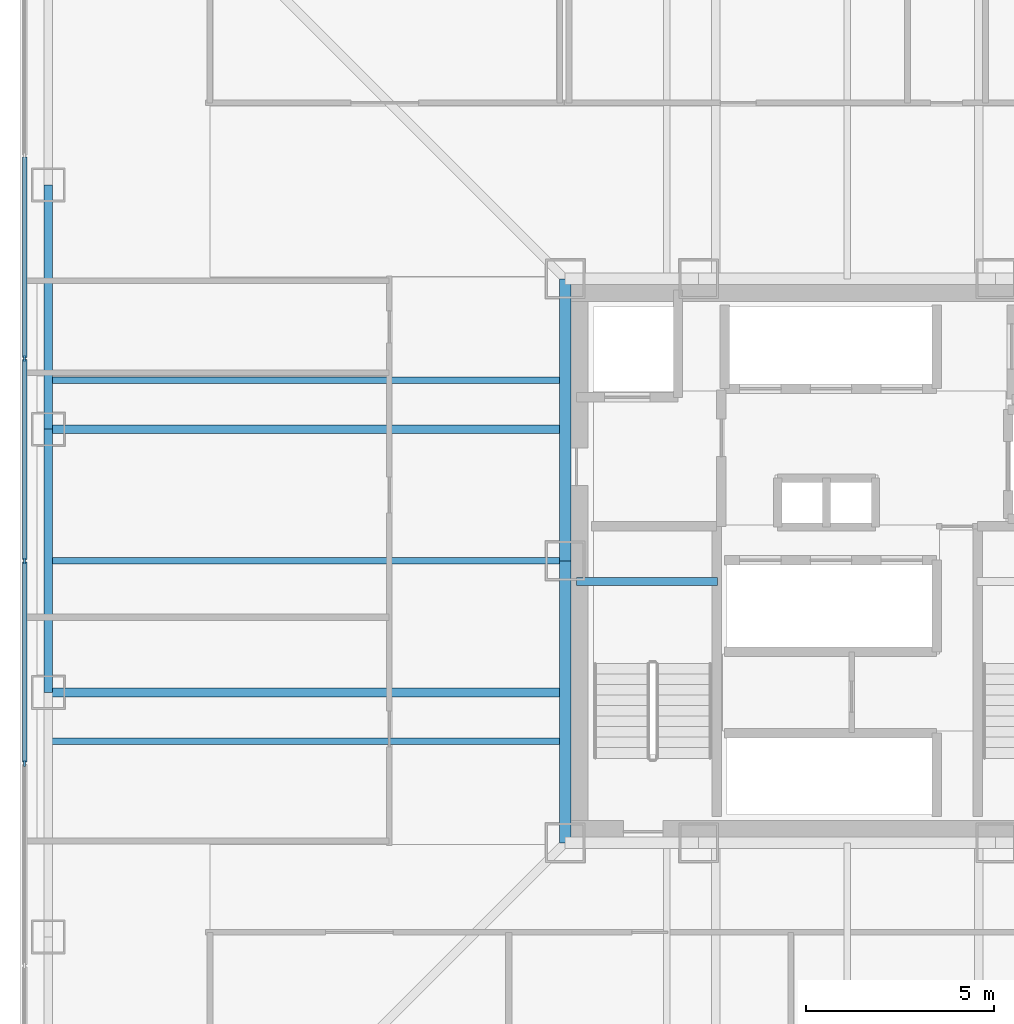
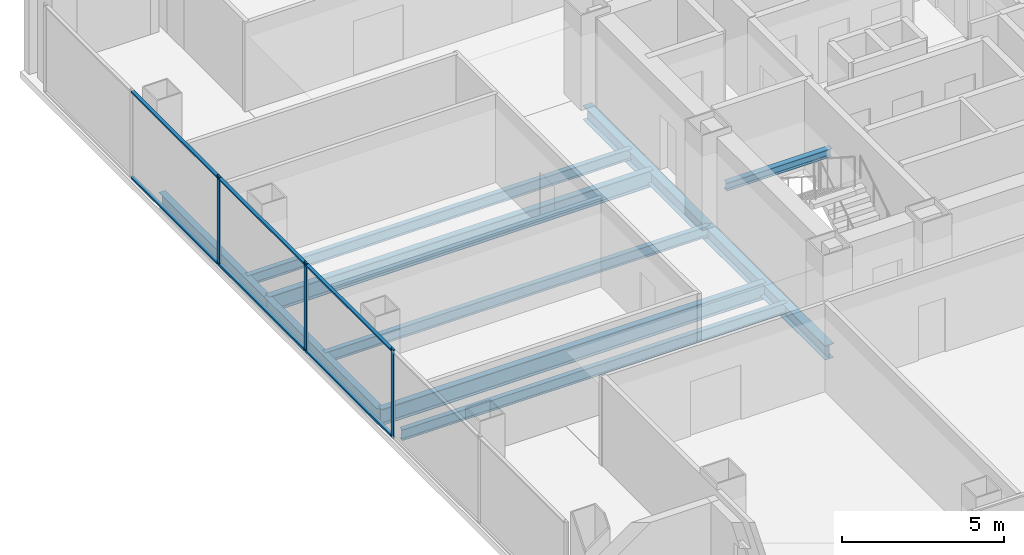
# One storey, part 4 of 14: 10 beams, 9 members, 1 element without a shape of its own.
"""IFC4 building model written with IfcOpenShell, lengths in metres."""

from ifc_helpers import new_model, si_unit, direction, frame, origin, origin_2d, place, context, subcontext, project, spatial, rectangle, i_section, extrude, material, layer, layer_set, material_profile, profile_set, type_object, element, aggregate, save


model = new_model("IFC4")

# Units and contexts
model_context = context("Model", 3, precision=1e-05, world=origin(), true_north=direction((0.0, 1.0)))
body_context = subcontext(model_context, "Body", "Model", "MODEL_VIEW")
ifc_project = project(units=[si_unit("LENGTHUNIT", "METRE"), si_unit("AREAUNIT", "SQUARE_METRE"), si_unit("VOLUMEUNIT", "CUBIC_METRE"), si_unit("PLANEANGLEUNIT", "RADIAN"), si_unit("MASSUNIT", "GRAM", prefix="KILO")], contexts=[model_context])

# Site, building, storey
site_placement = place(None, origin())
site = spatial("IfcSite", under=ifc_project, at=site_placement, CompositionType="ELEMENT")
building_placement = place(site_placement, origin())
building = spatial("IfcBuilding", under=site, at=building_placement, Name="Trevonay Congress Spire", CompositionType="ELEMENT")
storey_placement = place(building_placement, frame((0.0, 0.0, 97.60009765625)))
storey = spatial("IfcBuildingStorey", under=building, at=storey_placement, Name="L24", CompositionType="ELEMENT", Elevation=97.60009765625)

# Beams
ifc_material_1 = material(Name="Steel ASTM A572 Grade 50", Category="steel")
ifc_material_profile_1 = material_profile(ifc_material_1, i_section(OverallWidth=0.31201171875, OverallDepth=0.54296875, WebThickness=0.0126953125, FlangeThickness=0.020263671875, FilletRadius=0.014892578125, at=origin_2d()), Name="W530x150")
ifc_profile_set_1 = profile_set([ifc_material_profile_1], Name="Steel ASTM A572 Grade 50")
beam_type_1 = type_object("IfcBeamType", Name="BM-GIRD-W530X150", PredefinedType="BEAM", material=ifc_profile_set_1)
for number, where, z_axis, x_axis, name in (
    (1, (-7.5, -7.5, -0.51171875), (0.0, 1.0, 0.0), (-1.0, 0.0, 0.0), "L24 structural beam BM-L24-CR-W1"),
    (2, (-7.5, 0.0, -0.51171875), (0.0, 1.0, 0.0), (-1.0, 0.0, 0.0), "L24 structural beam BM-L24-CR-W2"),
):
    element("IfcBeam", number, at=place(storey_placement, frame(where, z_axis=z_axis, x_axis=x_axis)), inside=storey, type_object=beam_type_1, Name=name, PredefinedType="BEAM", context=body_context, shape_type="SweptSolid", body=[
        extrude(i_section(OverallWidth=0.31201171875, OverallDepth=0.54296875, WebThickness=0.0126953125, FlangeThickness=0.020263671875, FilletRadius=0.014892578125, at=origin_2d()), origin(), (0.0, 0.0, 1.0), 7.5),
    ])
ifc_material_profile_2 = material_profile(ifc_material_1, i_section(OverallWidth=0.22998046875, OverallDepth=0.616943359375, WebThickness=0.01318359375, FlangeThickness=0.022216796875, FilletRadius=0.01611328125, at=origin_2d()), Name="W610x140")
ifc_profile_set_2 = profile_set([ifc_material_profile_2], Name="Steel ASTM A572 Grade 50")
beam_type_2 = type_object("IfcBeamType", Name="BM-GIRD-W610X140", PredefinedType="BEAM", material=ifc_profile_set_2)
for number, where, z_axis, x_axis, name in (
    (3, (-7.5, -3.5, -0.548583984375), (-1.0, 0.0, 0.0), (0.0, -1.0, 0.0), "L24 structural beam BM-L24-GW-M"),
    (4, (-7.5, 3.5, -0.548583984375), (-1.0, 0.0, 0.0), (0.0, -1.0, 0.0), "L24 structural beam BM-L24-GW-P"),
):
    element("IfcBeam", number, at=place(storey_placement, frame(where, z_axis=z_axis, x_axis=x_axis)), inside=storey, type_object=beam_type_2, Name=name, PredefinedType="BEAM", context=body_context, shape_type="SweptSolid", body=[
        extrude(i_section(OverallWidth=0.22998046875, OverallDepth=0.616943359375, WebThickness=0.01318359375, FlangeThickness=0.022216796875, FilletRadius=0.01611328125, at=origin_2d()), origin(), (0.0, 0.0, 1.0), 13.75),
    ])
ifc_material_profile_3 = material_profile(ifc_material_1, i_section(OverallWidth=0.22802734375, OverallDepth=0.60791015625, WebThickness=0.01123046875, FlangeThickness=0.017333984375, FilletRadius=0.01611328125, at=origin_2d()), Name="W610x113")
ifc_profile_set_3 = profile_set([ifc_material_profile_3], Name="Steel ASTM A572 Grade 50")
beam_type_3 = type_object("IfcBeamType", Name="BM-RING-W610X113", PredefinedType="BEAM", material=ifc_profile_set_3)
beam_1_placement = place(storey_placement, frame((-21.25, -3.5, -0.544189453125), z_axis=(0.0, 1.0, 0.0), x_axis=(-1.0, 0.0, 0.0)))
element("IfcBeam", 5, at=beam_1_placement, inside=storey, type_object=beam_type_3, Name="L24 structural beam BM-L24-PW3", PredefinedType="BEAM", context=body_context, shape_type="SweptSolid", body=[
    extrude(i_section(OverallWidth=0.22802734375, OverallDepth=0.60791015625, WebThickness=0.01123046875, FlangeThickness=0.017333984375, FilletRadius=0.01611328125, at=origin_2d()), origin(), (0.0, 0.0, 1.0), 7.0),
])
beam_2_placement = place(storey_placement, frame((-21.25, 3.5, -0.544189453125), z_axis=(0.0, 1.0, 0.0), x_axis=(-1.0, 0.0, 0.0)))
element("IfcBeam", 6, at=beam_2_placement, inside=storey, type_object=beam_type_3, Name="L24 structural beam BM-L24-PW4", PredefinedType="BEAM", context=body_context, shape_type="SweptSolid", body=[
    extrude(i_section(OverallWidth=0.22802734375, OverallDepth=0.60791015625, WebThickness=0.01123046875, FlangeThickness=0.017333984375, FilletRadius=0.01611328125, at=origin_2d()), origin(), (0.0, 0.0, 1.0), 6.5),
])

# Curtain wall, members
ifc_material_2 = material(Name="Pale Anodised Aluminium EN AW-6063-T6", Category="aluminium")
ifc_layer = layer(ifc_material_2, 0.175048828125, Name="Pale Anodised Aluminium EN AW-6063-T6")
ifc_layer_set = layer_set([ifc_layer], Name="Pale Anodised Aluminium EN AW-6063-T6")
curtain_wall_type = type_object("IfcCurtainWallType", Name="CW-SYS03-CONGRESS-PALE-METAL", PredefinedType="NOTDEFINED", material=ifc_layer_set)
curtain_wall_placement = place(storey_placement, origin())
curtain_wall = element("IfcCurtainWall", 7, at=curtain_wall_placement, inside=storey, type_object=curtain_wall_type, Name="L24 W unitised curtain wall", PredefinedType="NOTDEFINED")
ifc_material_profile_4 = material_profile(ifc_material_2, rectangle(XDim=0.06005859375, YDim=0.159912109375, at=origin_2d()), Name="CW-MULLION-160-ALUMINIUM")
ifc_profile_set_4 = profile_set([ifc_material_profile_4], Name="Pale Anodised Aluminium EN AW-6063-T6")
member_type_1 = type_object("IfcMemberType", Name="CW-MULLION-160-ALUMINIUM", PredefinedType="MULLION", material=ifc_profile_set_4)
member_1_placement = place(storey_placement, frame((-21.8798828125, -5.38330078125, 0.0), z_axis=(0.0, 0.0, 1.0), x_axis=(-1.0, 0.0, 0.0)))
member_1 = element("IfcMember", 8, at=member_1_placement, type_object=member_type_1, Name="CW03 mullion 3", PredefinedType="MULLION", context=body_context, shape_type="SweptSolid", body=[
    extrude(rectangle(XDim=0.06005859375, YDim=0.159912109375, at=origin_2d()), origin(), (0.0, 0.0, 1.0), 3.35986328125),
])
member_2_placement = place(storey_placement, frame((-21.8798828125, 0.0, 0.0), z_axis=(0.0, 0.0, 1.0), x_axis=(-1.0, 0.0, 0.0)))
member_2 = element("IfcMember", 9, at=member_2_placement, type_object=member_type_1, Name="CW03 mullion 4", PredefinedType="MULLION", context=body_context, shape_type="SweptSolid", body=[
    extrude(rectangle(XDim=0.06005859375, YDim=0.159912109375, at=origin_2d()), origin(), (0.0, 0.0, 1.0), 3.35986328125),
])
member_3_placement = place(storey_placement, frame((-21.8798828125, 5.38330078125, 0.0), z_axis=(0.0, 0.0, 1.0), x_axis=(-1.0, 0.0, 0.0)))
member_3 = element("IfcMember", 10, at=member_3_placement, type_object=member_type_1, Name="CW03 mullion 5", PredefinedType="MULLION", context=body_context, shape_type="SweptSolid", body=[
    extrude(rectangle(XDim=0.06005859375, YDim=0.159912109375, at=origin_2d()), origin(), (0.0, 0.0, 1.0), 3.35986328125),
])
ifc_material_profile_5 = material_profile(ifc_material_2, rectangle(XDim=0.1201171875, YDim=0.06005859375, at=origin_2d()), Name="CW-TRANSOM-120-ALUMINIUM")
ifc_profile_set_5 = profile_set([ifc_material_profile_5], Name="Pale Anodised Aluminium EN AW-6063-T6")
member_type_2 = type_object("IfcMemberType", Name="CW-TRANSOM-120-ALUMINIUM", PredefinedType="USERDEFINED", material=ifc_profile_set_5)
member_4_placement = place(storey_placement, frame((-21.8798828125, -5.353271484375, 0.059814453125), z_axis=(0.0, 1.0, 0.0), x_axis=(-1.0, 0.0, 0.0)))
member_4 = element("IfcMember", 11, at=member_4_placement, type_object=member_type_2, Name="CW03 transom 3.1", ObjectType="TRANSOM", PredefinedType="USERDEFINED", context=body_context, shape_type="SweptSolid", body=[
    extrude(rectangle(XDim=0.1201171875, YDim=0.06005859375, at=origin_2d()), origin(), (0.0, 0.0, 1.0), 5.3232421875),
])
member_5_placement = place(storey_placement, frame((-21.8798828125, -5.353271484375, 3.2998046875), z_axis=(0.0, 1.0, 0.0), x_axis=(-1.0, 0.0, 0.0)))
member_5 = element("IfcMember", 12, at=member_5_placement, type_object=member_type_2, Name="CW03 transom 3.2", ObjectType="TRANSOM", PredefinedType="USERDEFINED", context=body_context, shape_type="SweptSolid", body=[
    extrude(rectangle(XDim=0.1201171875, YDim=0.06005859375, at=origin_2d()), origin(), (0.0, 0.0, 1.0), 5.3232421875),
])
member_6_placement = place(storey_placement, frame((-21.8798828125, 0.030029296875, 0.059814453125), z_axis=(0.0, 1.0, 0.0), x_axis=(-1.0, 0.0, 0.0)))
member_6 = element("IfcMember", 13, at=member_6_placement, type_object=member_type_2, Name="CW03 transom 4.1", ObjectType="TRANSOM", PredefinedType="USERDEFINED", context=body_context, shape_type="SweptSolid", body=[
    extrude(rectangle(XDim=0.1201171875, YDim=0.06005859375, at=origin_2d()), origin(), (0.0, 0.0, 1.0), 5.3232421875),
])
member_7_placement = place(storey_placement, frame((-21.8798828125, 0.030029296875, 3.2998046875), z_axis=(0.0, 1.0, 0.0), x_axis=(-1.0, 0.0, 0.0)))
member_7 = element("IfcMember", 14, at=member_7_placement, type_object=member_type_2, Name="CW03 transom 4.2", ObjectType="TRANSOM", PredefinedType="USERDEFINED", context=body_context, shape_type="SweptSolid", body=[
    extrude(rectangle(XDim=0.1201171875, YDim=0.06005859375, at=origin_2d()), origin(), (0.0, 0.0, 1.0), 5.3232421875),
])
member_8_placement = place(storey_placement, frame((-21.8798828125, 5.413330078125, 0.059814453125), z_axis=(0.0, 1.0, 0.0), x_axis=(-1.0, 0.0, 0.0)))
member_8 = element("IfcMember", 15, at=member_8_placement, type_object=member_type_2, Name="CW03 transom 5.1", ObjectType="TRANSOM", PredefinedType="USERDEFINED", context=body_context, shape_type="SweptSolid", body=[
    extrude(rectangle(XDim=0.1201171875, YDim=0.06005859375, at=origin_2d()), origin(), (0.0, 0.0, 1.0), 5.3232421875),
])
member_9_placement = place(storey_placement, frame((-21.8798828125, 5.413330078125, 3.2998046875), z_axis=(0.0, 1.0, 0.0), x_axis=(-1.0, 0.0, 0.0)))
member_9 = element("IfcMember", 16, at=member_9_placement, type_object=member_type_2, Name="CW03 transom 5.2", ObjectType="TRANSOM", PredefinedType="USERDEFINED", context=body_context, shape_type="SweptSolid", body=[
    extrude(rectangle(XDim=0.1201171875, YDim=0.06005859375, at=origin_2d()), origin(), (0.0, 0.0, 1.0), 5.3232421875),
])
aggregate(curtain_wall, [member_1, member_2, member_3, member_4, member_5, member_6, member_7, member_8, member_9])

# Beams
ifc_material_profile_6 = material_profile(ifc_material_1, i_section(OverallWidth=0.177978515625, OverallDepth=0.406982421875, WebThickness=0.0078125, FlangeThickness=0.0126953125, FilletRadius=0.012939453125, at=origin_2d()), Name="W410x60")
ifc_profile_set_6 = profile_set([ifc_material_profile_6], Name="Steel ASTM A572 Grade 50")
beam_type_4 = type_object("IfcBeamType", Name="JS-COMP-W410X60", PredefinedType="JOIST", material=ifc_profile_set_6)
for number, where, z_axis, x_axis, name in (
    (17, (-21.25, -4.800048828125, -0.443603515625), (1.0, 0.0, 0.0), (0.0, 1.0, 0.0), "L24 structural beam JS-L24-EW-W1"),
    (18, (-21.25, 0.0, -0.443603515625), (1.0, 0.0, 0.0), (0.0, 1.0, 0.0), "L24 structural beam JS-L24-EW-W2"),
    (19, (-21.25, 4.800048828125, -0.443603515625), (1.0, 0.0, 0.0), (0.0, 1.0, 0.0), "L24 structural beam JS-L24-EW-W3"),
):
    element("IfcBeam", number, at=place(storey_placement, frame(where, z_axis=z_axis, x_axis=x_axis)), inside=storey, type_object=beam_type_4, Name=name, PredefinedType="JOIST", context=body_context, shape_type="SweptSolid", body=[
        extrude(i_section(OverallWidth=0.177978515625, OverallDepth=0.406982421875, WebThickness=0.0078125, FlangeThickness=0.0126953125, FilletRadius=0.012939453125, at=origin_2d()), origin(), (0.0, 0.0, 1.0), 13.75),
    ])
ifc_material_profile_7 = material_profile(ifc_material_1, i_section(OverallWidth=0.2041015625, OverallDepth=0.305908203125, WebThickness=0.008544921875, FlangeThickness=0.0146484375, FilletRadius=0.010986328125, at=origin_2d()), Name="W310x67")
ifc_profile_set_7 = profile_set([ifc_material_profile_7], Name="Steel ASTM A572 Grade 50")
beam_type_5 = type_object("IfcBeamType", Name="LN-CORE-W310X67", PredefinedType="LINTEL", material=ifc_profile_set_7)
beam_3_placement = place(storey_placement, frame((-7.199951171875, -0.550048828125, 1.447021484375), z_axis=(1.0, 0.0, 0.0), x_axis=(0.0, 1.0, 0.0)))
element("IfcBeam", 20, at=beam_3_placement, inside=storey, type_object=beam_type_5, Name="L24 structural beam BM-L24-HL-ST1", PredefinedType="LINTEL", context=body_context, shape_type="SweptSolid", body=[
    extrude(i_section(OverallWidth=0.2041015625, OverallDepth=0.305908203125, WebThickness=0.008544921875, FlangeThickness=0.0146484375, FilletRadius=0.010986328125, at=origin_2d()), origin(), (0.0, 0.0, 1.0), 3.75),
])

save(model, "model.ifc")
